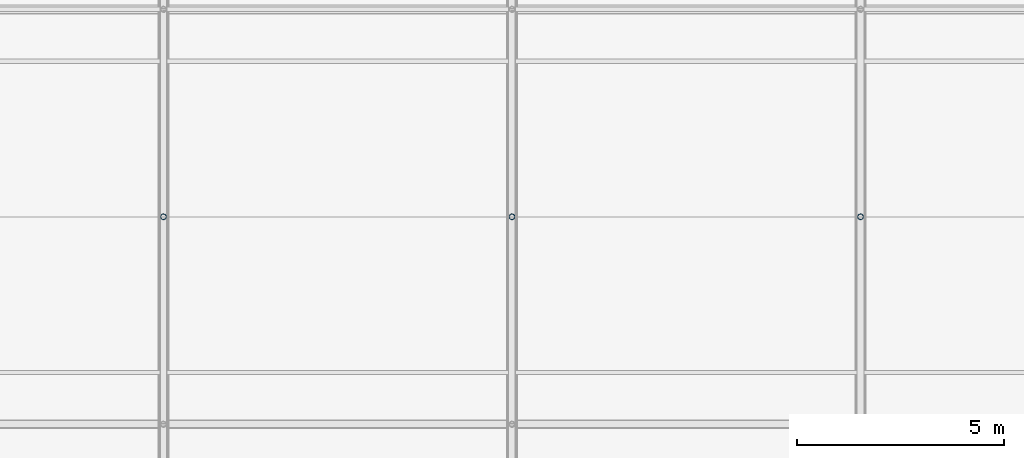
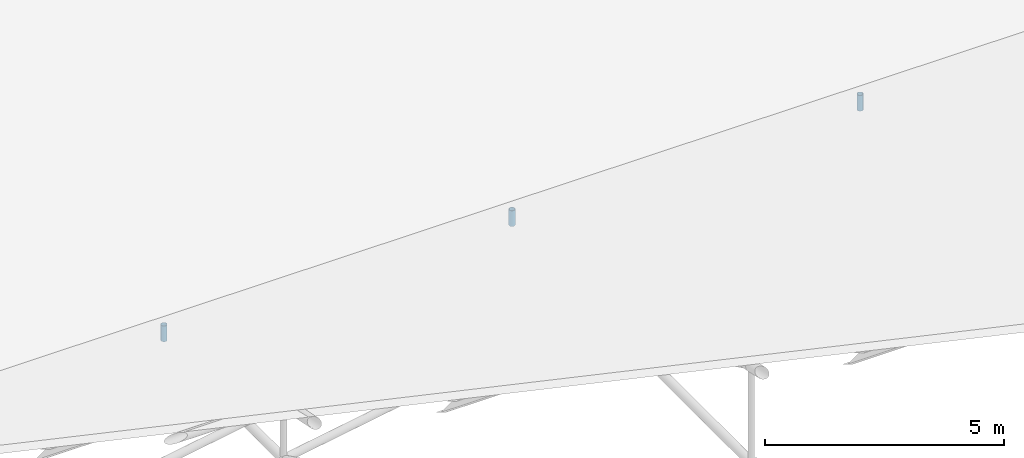
# One storey, part 134 of 194: 3 members.
"""IFC4 building model written with IfcOpenShell, lengths in metres."""

from ifc_helpers import new_model, si_unit, direction, frame, origin, origin_2d, place, context, subcontext, project, spatial, hollow_circle, extrude, material, material_profile, profile_set, type_object, element, save


model = new_model("IFC4")

# Units and contexts
model_context = context("Model", 3, precision=1e-05, world=origin(), true_north=direction((0.0, 1.0)))
body_context = subcontext(model_context, "Body", "Model", "MODEL_VIEW")
ifc_project = project(units=[si_unit("LENGTHUNIT", "METRE"), si_unit("AREAUNIT", "SQUARE_METRE"), si_unit("VOLUMEUNIT", "CUBIC_METRE"), si_unit("PLANEANGLEUNIT", "RADIAN"), si_unit("MASSUNIT", "GRAM", prefix="KILO")], contexts=[model_context])

# Site, building, storey
site_placement = place(None, origin())
site = spatial("IfcSite", under=ifc_project, at=site_placement, CompositionType="ELEMENT")
building_placement = place(site_placement, origin())
building = spatial("IfcBuilding", under=site, at=building_placement, Name="Kazenagashi Tramway Depot", CompositionType="ELEMENT")
storey_placement = place(building_placement, frame((0.0, 0.0, 23.7)))
storey = spatial("IfcBuildingStorey", under=building, at=storey_placement, Name="ROOF", CompositionType="ELEMENT", Elevation=23.7)

# Members
ifc_material = material(Name="Steel STK490", Category="steel")
ifc_material_profile = material_profile(ifc_material, hollow_circle(Radius=0.0699, WallThickness=0.0066, at=origin_2d()), Name="CHS-139.8x6.6")
ifc_profile_set = profile_set([ifc_material_profile], Name="Steel STK490")
member_type = type_object("IfcMemberType", Name="TS-02", PredefinedType="STRUT", material=ifc_profile_set)
for number, where, z_axis, x_axis, name in (
    (1, (70.0, 100.0, -14.1), (0.0, 0.0, 1.0), (1.0, 0.0, 0.0), "Tubular Space Frame TS-02 MEM-0208"),
    (2, (78.4, 100.0, -14.1), (0.0, 0.0, 1.0), (1.0, 0.0, 0.0), "Tubular Space Frame TS-02 MEM-0269"),
    (3, (86.8, 100.0, -14.1), (0.0, 0.0, 1.0), (1.0, 0.0, 0.0), "Tubular Space Frame TS-02 MEM-0330"),
):
    element("IfcMember", number, at=place(storey_placement, frame(where, z_axis=z_axis, x_axis=x_axis)), inside=storey, type_object=member_type, Name=name, PredefinedType="STRUT", context=body_context, shape_type="SweptSolid", body=[
        extrude(hollow_circle(Radius=0.0699, WallThickness=0.0066, at=origin_2d()), origin(), (0.0, 0.0, 1.0), 0.4),
    ])

save(model, "model.ifc")
